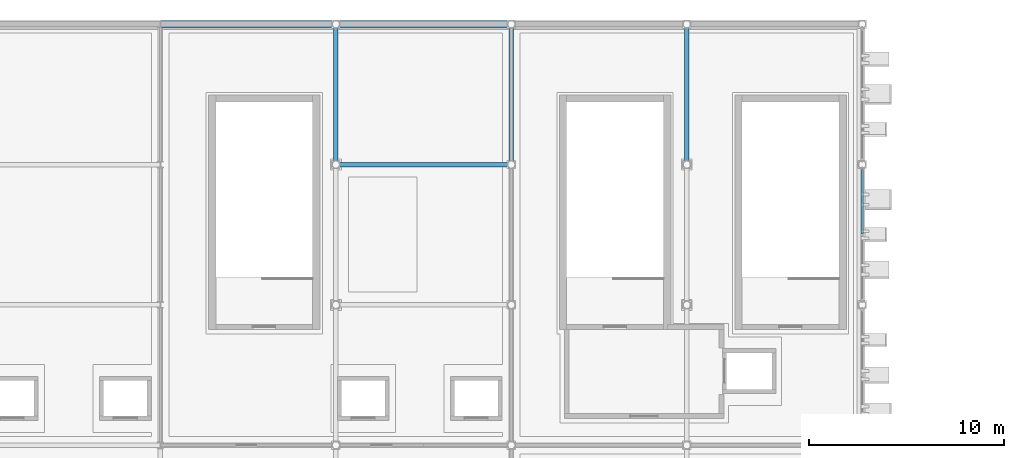
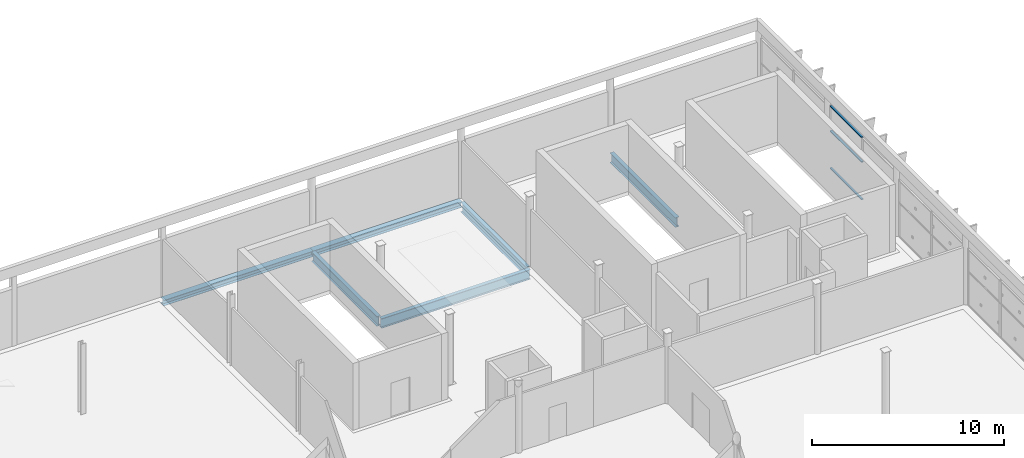
# One storey, part 32 of 52: 6 beams, 3 members, 1 element without a shape of its own.
"""IFC4 building model written with IfcOpenShell, lengths in metres."""

from ifc_helpers import new_model, si_unit, direction, frame, origin, origin_2d, place, context, subcontext, project, spatial, hollow_rectangle, i_section, extrude, material, layer, layer_set, material_profile, profile_set, type_object, element, aggregate, save


model = new_model("IFC4")

# Units and contexts
model_context = context("Model", 3, precision=1e-05, world=origin(), true_north=direction((0.0, 1.0)))
body_context = subcontext(model_context, "Body", "Model", "MODEL_VIEW")
ifc_project = project(units=[si_unit("LENGTHUNIT", "METRE"), si_unit("AREAUNIT", "SQUARE_METRE"), si_unit("VOLUMEUNIT", "CUBIC_METRE"), si_unit("PLANEANGLEUNIT", "RADIAN"), si_unit("MASSUNIT", "GRAM", prefix="KILO")], contexts=[model_context])

# Site, building, storey
site_placement = place(None, origin())
site = spatial("IfcSite", under=ifc_project, at=site_placement, CompositionType="ELEMENT")
building_placement = place(site_placement, origin())
building = spatial("IfcBuilding", under=site, at=building_placement, Name="Celestram Park Convention Centre", CompositionType="ELEMENT")
storey_placement = place(building_placement, frame((0.0, 0.0, 24.300048828125)))
storey = spatial("IfcBuildingStorey", under=building, at=storey_placement, Name="L05", CompositionType="ELEMENT", Elevation=24.300048828125)

# Curtain wall, members
ifc_material_1 = material(Name="Anodised Aluminium Alloy 6063-T6", Category="aluminium")
ifc_layer = layer(ifc_material_1, 0.179931640625)
ifc_layer_set = layer_set([ifc_layer], Name="Anodised Aluminium Alloy 6063-T6")
curtain_wall_type = type_object("IfcCurtainWallType", Name="ARC-CW-680X401", PredefinedType="NOTDEFINED", material=ifc_layer_set)
curtain_wall_placement = place(storey_placement, origin())
curtain_wall = element("IfcCurtainWall", 1, at=curtain_wall_placement, inside=storey, type_object=curtain_wall_type, Name="Unitised curtain wall CU-L05-252", PredefinedType="NOTDEFINED")
ifc_material_profile_1 = material_profile(ifc_material_1, hollow_rectangle(XDim=0.1201171875, YDim=0.06005859375, WallThickness=0.0029296875, at=origin_2d()), Name="ALU120X60X3")
ifc_profile_set_1 = profile_set([ifc_material_profile_1], Name="Anodised Aluminium Alloy 6063-T6")
member_type = type_object("IfcMemberType", Name="ARC-CWT-120", PredefinedType="USERDEFINED", material=ifc_profile_set_1)
member_1_placement = place(storey_placement, frame((99.0, 158.135986328125, 0.030029296875), z_axis=(0.0, -1.0, 0.0), x_axis=(1.0, 0.0, 0.0)))
member_1 = element("IfcMember", 2, at=member_1_placement, type_object=member_type, Name="CW-68X40 transom 1.1", ObjectType="TRANSOM", PredefinedType="USERDEFINED", context=body_context, shape_type="SweptSolid", body=[
    extrude(hollow_rectangle(XDim=0.1201171875, YDim=0.06005859375, WallThickness=0.0029296875, at=origin_2d()), origin(), (0.0, 0.0, 1.0), 3.303466796875),
])
member_2_placement = place(storey_placement, frame((99.0, 158.135986328125, 2.406005859375), z_axis=(0.0, -1.0, 0.0), x_axis=(1.0, 0.0, 0.0)))
member_2 = element("IfcMember", 3, at=member_2_placement, type_object=member_type, Name="CW-68X40 transom 1.2", ObjectType="TRANSOM", PredefinedType="USERDEFINED", context=body_context, shape_type="SweptSolid", body=[
    extrude(hollow_rectangle(XDim=0.1201171875, YDim=0.06005859375, WallThickness=0.0029296875, at=origin_2d()), origin(), (0.0, 0.0, 1.0), 3.303466796875),
])
member_3_placement = place(storey_placement, frame((99.0, 158.135986328125, 3.97998046875), z_axis=(0.0, -1.0, 0.0), x_axis=(1.0, 0.0, 0.0)))
member_3 = element("IfcMember", 4, at=member_3_placement, type_object=member_type, Name="CW-68X40 transom 1.3", ObjectType="TRANSOM", PredefinedType="USERDEFINED", context=body_context, shape_type="SweptSolid", body=[
    extrude(hollow_rectangle(XDim=0.1201171875, YDim=0.06005859375, WallThickness=0.0029296875, at=origin_2d()), origin(), (0.0, 0.0, 1.0), 3.303466796875),
])
aggregate(curtain_wall, [member_1, member_2, member_3])

# Beams
ifc_material_2 = material(Name="Steel ASTM A992 Grade 50", Category="steel")
ifc_material_profile_2 = material_profile(ifc_material_2, i_section(OverallWidth=0.22900390625, OverallDepth=0.612060546875, WebThickness=0.011962890625, FlangeThickness=0.01953125, at=origin_2d()), Name="W24X84")
ifc_profile_set_2 = profile_set([ifc_material_profile_2], Name="Steel ASTM A992 Grade 50")
beam_type_1 = type_object("IfcBeamType", Name="STR-BM-W24X84", PredefinedType="BEAM", material=ifc_profile_set_2)
beam_1_placement = place(storey_placement, frame((72.0048828125, 158.39990234375, -0.546142578125), z_axis=(1.0, 0.0, 0.0), x_axis=(0.0, 1.0, 0.0)))
element("IfcBeam", 5, at=beam_1_placement, inside=storey, type_object=beam_type_1, Name="Primary X-girder BG-L05-0068", PredefinedType="BEAM", context=body_context, shape_type="SweptSolid", body=[
    extrude(i_section(OverallWidth=0.22900390625, OverallDepth=0.612060546875, WebThickness=0.011962890625, FlangeThickness=0.01953125, at=origin_2d()), origin(), (0.0, 0.0, 1.0), 8.990234375),
])
for number, where, z_axis, x_axis, name in (
    (6, (72.0, 158.575927734375, -0.546142578125), (0.0, 1.0, 0.0), (-1.0, 0.0, 0.0), "Primary Y-girder BG-L05-0069"),
    (7, (81.0, 158.575927734375, -0.546142578125), (0.0, 1.0, 0.0), (-1.0, 0.0, 0.0), "Primary Y-girder BG-L05-0084"),
    (8, (90.0, 158.575927734375, -0.546142578125), (0.0, 1.0, 0.0), (-1.0, 0.0, 0.0), "Primary Y-girder BG-L05-0098"),
):
    element("IfcBeam", number, at=place(storey_placement, frame(where, z_axis=z_axis, x_axis=x_axis)), inside=storey, type_object=beam_type_1, Name=name, PredefinedType="BEAM", context=body_context, shape_type="SweptSolid", body=[
        extrude(i_section(OverallWidth=0.22900390625, OverallDepth=0.612060546875, WebThickness=0.011962890625, FlangeThickness=0.01953125, at=origin_2d()), origin(), (0.0, 0.0, 1.0), 6.84814453125),
    ])
ifc_material_profile_3 = material_profile(ifc_material_2, i_section(OverallWidth=0.367919921875, OverallDepth=0.35595703125, WebThickness=0.01123046875, FlangeThickness=0.01806640625, at=origin_2d()), Name="W14X90")
ifc_profile_set_3 = profile_set([ifc_material_profile_3], Name="Steel ASTM A992 Grade 50")
beam_type_2 = type_object("IfcBeamType", Name="STR-SPN-W14X90", PredefinedType="SPANDREL", material=ifc_profile_set_3)
beam_2_placement = place(storey_placement, frame((63.006103515625, 165.60009765625, -0.41796875), z_axis=(1.0, 0.0, 0.0), x_axis=(0.0, 1.0, 0.0)))
element("IfcBeam", 9, at=beam_2_placement, inside=storey, type_object=beam_type_2, Name="Primary X-girder BG-L05-0056", PredefinedType="SPANDREL", context=body_context, shape_type="SweptSolid", body=[
    extrude(i_section(OverallWidth=0.367919921875, OverallDepth=0.35595703125, WebThickness=0.01123046875, FlangeThickness=0.01806640625, at=origin_2d()), origin(), (0.0, 0.0, 1.0), 8.989013671875),
])
beam_3_placement = place(storey_placement, frame((72.0048828125, 165.60009765625, -0.41796875), z_axis=(1.0, 0.0, 0.0), x_axis=(0.0, 1.0, 0.0)))
element("IfcBeam", 10, at=beam_3_placement, inside=storey, type_object=beam_type_2, Name="Primary X-girder BG-L05-0070", PredefinedType="SPANDREL", context=body_context, shape_type="SweptSolid", body=[
    extrude(i_section(OverallWidth=0.367919921875, OverallDepth=0.35595703125, WebThickness=0.01123046875, FlangeThickness=0.01806640625, at=origin_2d()), origin(), (0.0, 0.0, 1.0), 8.990234375),
])

save(model, "model.ifc")
